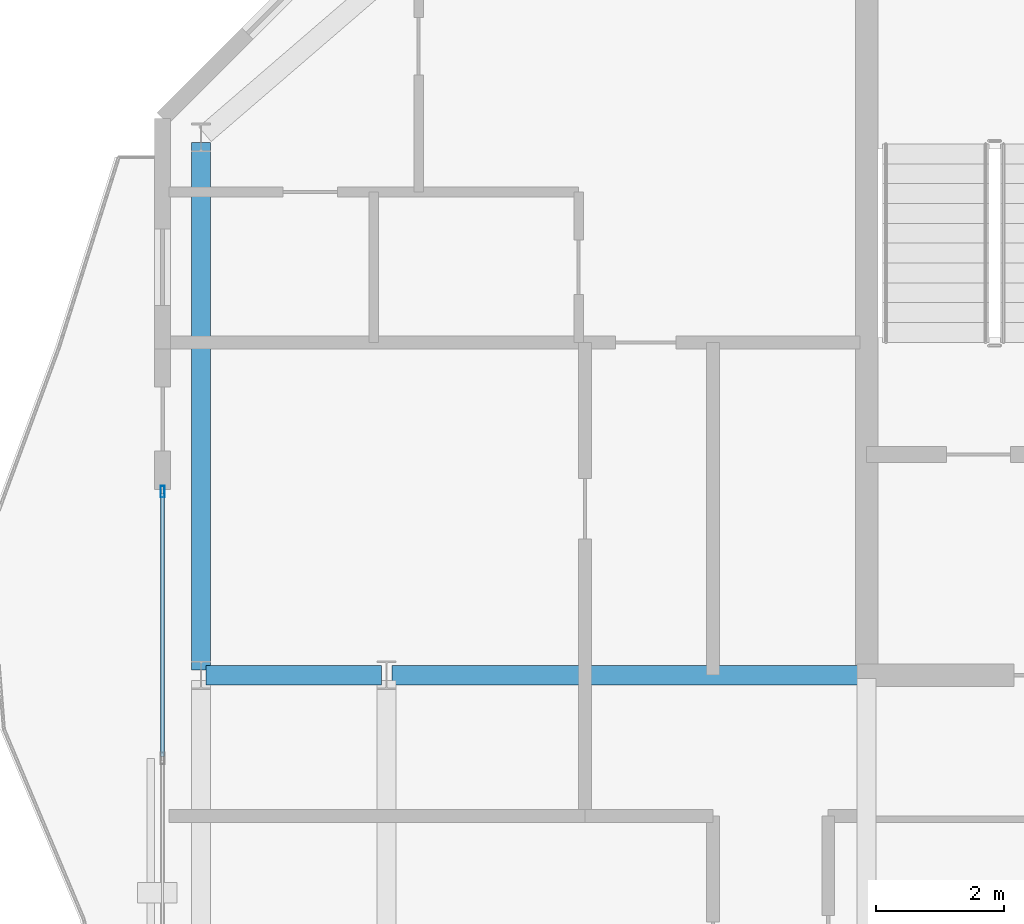
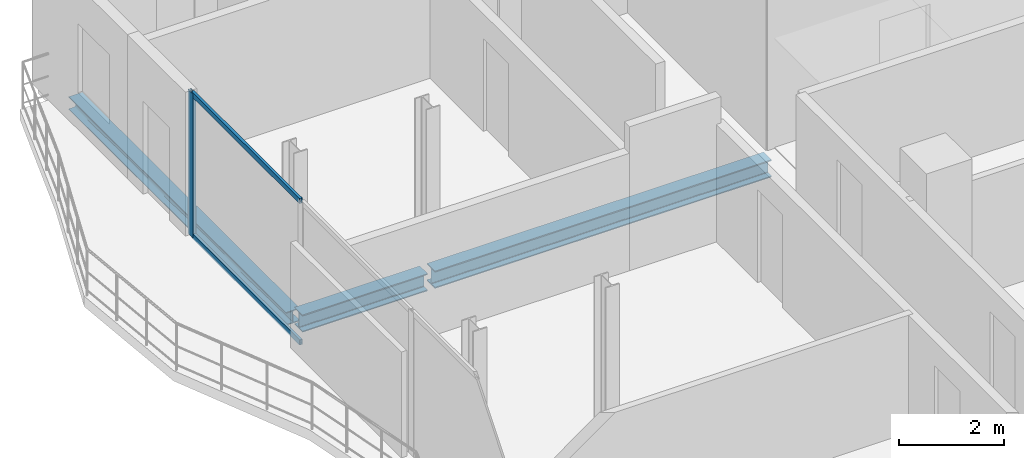
# One storey, part 9 of 23: 3 beams, 3 members, 1 element without a shape of its own.
"""IFC4 building model written with IfcOpenShell, lengths in metres."""

from ifc_helpers import new_model, si_unit, direction, frame, origin, origin_2d, place, context, subcontext, project, spatial, hollow_rectangle, i_section, extrude, material, layer, layer_set, material_profile, profile_set, type_object, element, aggregate, save


model = new_model("IFC4")

# Units and contexts
model_context = context("Model", 3, precision=1e-05, world=origin(), true_north=direction((0.0, 1.0)))
body_context = subcontext(model_context, "Body", "Model", "MODEL_VIEW")
ifc_project = project(units=[si_unit("LENGTHUNIT", "METRE"), si_unit("AREAUNIT", "SQUARE_METRE"), si_unit("VOLUMEUNIT", "CUBIC_METRE"), si_unit("PLANEANGLEUNIT", "RADIAN"), si_unit("MASSUNIT", "GRAM", prefix="KILO")], contexts=[model_context])

# Site, building, storey
site_placement = place(None, origin())
site = spatial("IfcSite", under=ifc_project, at=site_placement, CompositionType="ELEMENT")
building_placement = place(site_placement, origin())
building = spatial("IfcBuilding", under=site, at=building_placement, Name="Catumbela Crestline Tower", CompositionType="ELEMENT")
storey_placement = place(building_placement, frame((0.0, 0.0, 201.0)))
storey = spatial("IfcBuildingStorey", under=building, at=storey_placement, Name="L52", CompositionType="ELEMENT", Elevation=201.0)

# Beams
ifc_material_1 = material(Name="Structural steel S355J2", Category="steel")
ifc_material_profile_1 = material_profile(ifc_material_1, i_section(OverallWidth=0.3, OverallDepth=0.4, WebThickness=0.0135, FlangeThickness=0.024, FilletRadius=0.027, at=origin_2d()), Name="HEB 400")
ifc_profile_set_1 = profile_set([ifc_material_profile_1], Name="Structural steel S355J2")
beam_type_1 = type_object("IfcBeamType", Name="BG-HEB400", PredefinedType="BEAM", material=ifc_profile_set_1)
beam_1_placement = place(storey_placement, frame((5.68, 30.8, -0.46), z_axis=(1.0, 0.0, 0.0), x_axis=(0.0, 1.0, 0.0)))
element("IfcBeam", 1, at=beam_1_placement, inside=storey, type_object=beam_type_1, Name="L52 Beam BM-L52-M06", PredefinedType="BEAM", context=body_context, shape_type="SweptSolid", body=[
    extrude(i_section(OverallWidth=0.3, OverallDepth=0.4, WebThickness=0.0135, FlangeThickness=0.024, FilletRadius=0.027, at=origin_2d()), origin(), (0.0, 0.0, 1.0), 2.74),
])
beam_2_placement = place(storey_placement, frame((8.58, 30.8, -0.46), z_axis=(1.0, 0.0, 0.0), x_axis=(0.0, 1.0, 0.0)))
element("IfcBeam", 2, at=beam_2_placement, inside=storey, type_object=beam_type_1, Name="L52 Beam BM-L52-M07", PredefinedType="BEAM", context=body_context, shape_type="SweptSolid", body=[
    extrude(i_section(OverallWidth=0.3, OverallDepth=0.4, WebThickness=0.0135, FlangeThickness=0.024, FilletRadius=0.027, at=origin_2d()), origin(), (0.0, 0.0, 1.0), 7.37),
])

# Curtain wall, member
ifc_material_2 = material(Name="Aluminium alloy AW-6060-T66", Category="aluminium")
ifc_layer = layer(ifc_material_2, 0.18, Name="Aluminium alloy AW-6060-T66")
ifc_layer_set = layer_set([ifc_layer], Name="Aluminium alloy AW-6060-T66")
curtain_wall_type = type_object("IfcCurtainWallType", Name="CWU-Z3", PredefinedType="USERDEFINED", material=ifc_layer_set)
curtain_wall_placement = place(storey_placement, origin())
curtain_wall = element("IfcCurtainWall", 3, at=curtain_wall_placement, inside=storey, type_object=curtain_wall_type, Name="L52 Unitised Curtain Wall CW-L52-E9S2", ObjectType="UNITISED", PredefinedType="USERDEFINED")
ifc_material_profile_2 = material_profile(ifc_material_2, hollow_rectangle(XDim=0.065, YDim=0.18, WallThickness=0.004, at=origin_2d()), Name="ALU 180x65x4")
ifc_profile_set_2 = profile_set([ifc_material_profile_2], Name="Aluminium alloy AW-6060-T66")
member_type_1 = type_object("IfcMemberType", Name="MUL-180X65", PredefinedType="MULLION", material=ifc_profile_set_2)
member_1_placement = place(storey_placement, frame((5.0, 33.6675, 0.0), z_axis=(0.0, 0.0, 1.0), x_axis=(1.0, 0.0, 0.0)))
member_1 = element("IfcMember", 4, at=member_1_placement, type_object=member_type_1, Name="CWU-Z3 mullion 1", PredefinedType="MULLION", context=body_context, shape_type="SweptSolid", body=[
    extrude(hollow_rectangle(XDim=0.065, YDim=0.18, WallThickness=0.004, at=origin_2d()), origin(), (0.0, 0.0, 1.0), 3.33),
])

# Beam
ifc_material_profile_3 = material_profile(ifc_material_1, i_section(OverallWidth=0.3, OverallDepth=0.3, WebThickness=0.011, FlangeThickness=0.019, FilletRadius=0.027, at=origin_2d()), Name="HEB 300")
ifc_profile_set_3 = profile_set([ifc_material_profile_3], Name="Structural steel S355J2")
beam_type_2 = type_object("IfcBeamType", Name="BS-HEB300", PredefinedType="SPANDREL", material=ifc_profile_set_3)
beam_3_placement = place(storey_placement, frame((5.6, 30.88, -0.41), z_axis=(0.0, 1.0, 0.0), x_axis=(-1.0, 0.0, 0.0)))
element("IfcBeam", 5, at=beam_3_placement, inside=storey, type_object=beam_type_2, Name="L52 Spandrel SP-L52-SN15", PredefinedType="SPANDREL", context=body_context, shape_type="SweptSolid", body=[
    extrude(i_section(OverallWidth=0.3, OverallDepth=0.3, WebThickness=0.011, FlangeThickness=0.019, FilletRadius=0.027, at=origin_2d()), origin(), (0.0, 0.0, 1.0), 8.24),
])

# Member
ifc_material_profile_4 = material_profile(ifc_material_2, hollow_rectangle(XDim=0.06, YDim=0.12, WallThickness=0.0035, at=origin_2d()), Name="ALU 120x60x3.5")
ifc_profile_set_4 = profile_set([ifc_material_profile_4], Name="Aluminium alloy AW-6060-T66")
member_type_2 = type_object("IfcMemberType", Name="TRN-120X60", PredefinedType="USERDEFINED", material=ifc_profile_set_4)
member_2_placement = place(storey_placement, frame((5.0, 33.635, 0.03), z_axis=(0.0, -1.0, 0.0), x_axis=(1.0, 0.0, 0.0)))
member_2 = element("IfcMember", 6, at=member_2_placement, type_object=member_type_2, Name="CWU-Z3 transom 1.1", ObjectType="TRANSOM", PredefinedType="USERDEFINED", context=body_context, shape_type="SweptSolid", body=[
    extrude(hollow_rectangle(XDim=0.06, YDim=0.12, WallThickness=0.0035, at=origin_2d()), origin(), (0.0, 0.0, 1.0), 4.1025),
])

member_3_placement = place(storey_placement, frame((5.0, 33.635, 3.3), z_axis=(0.0, -1.0, 0.0), x_axis=(1.0, 0.0, 0.0)))
member_3 = element("IfcMember", 7, at=member_3_placement, type_object=member_type_2, Name="CWU-Z3 transom 1.2", ObjectType="TRANSOM", PredefinedType="USERDEFINED", context=body_context, shape_type="SweptSolid", body=[
    extrude(hollow_rectangle(XDim=0.06, YDim=0.12, WallThickness=0.0035, at=origin_2d()), origin(), (0.0, 0.0, 1.0), 4.1025),
])

aggregate(curtain_wall, [member_1, member_2, member_3])

save(model, "model.ifc")
